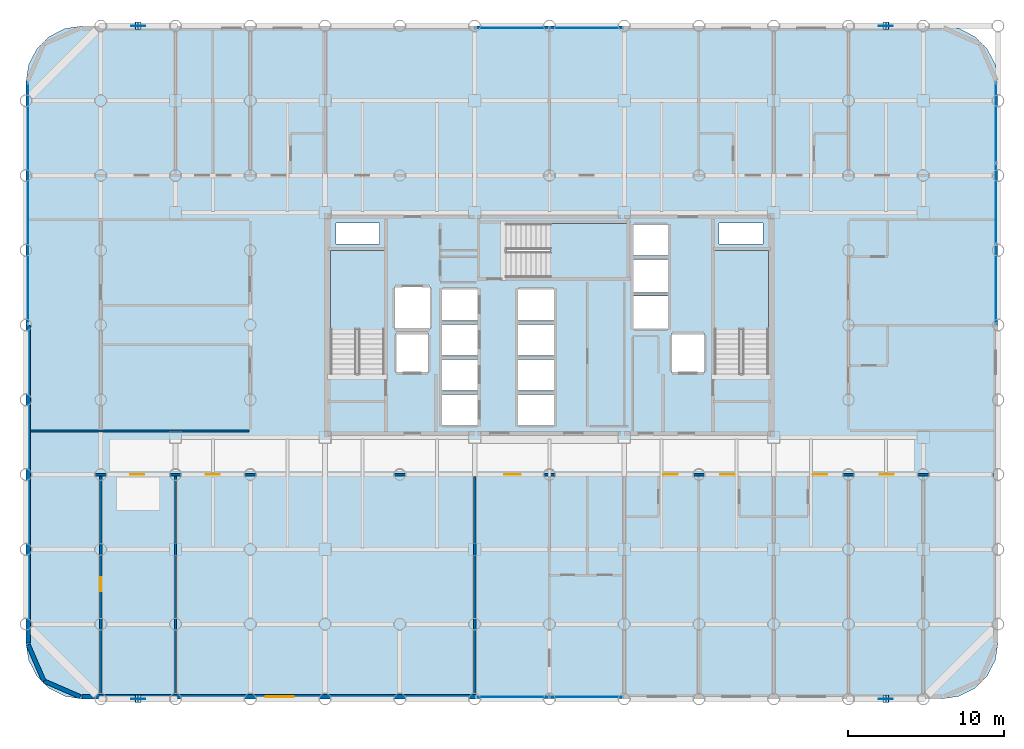
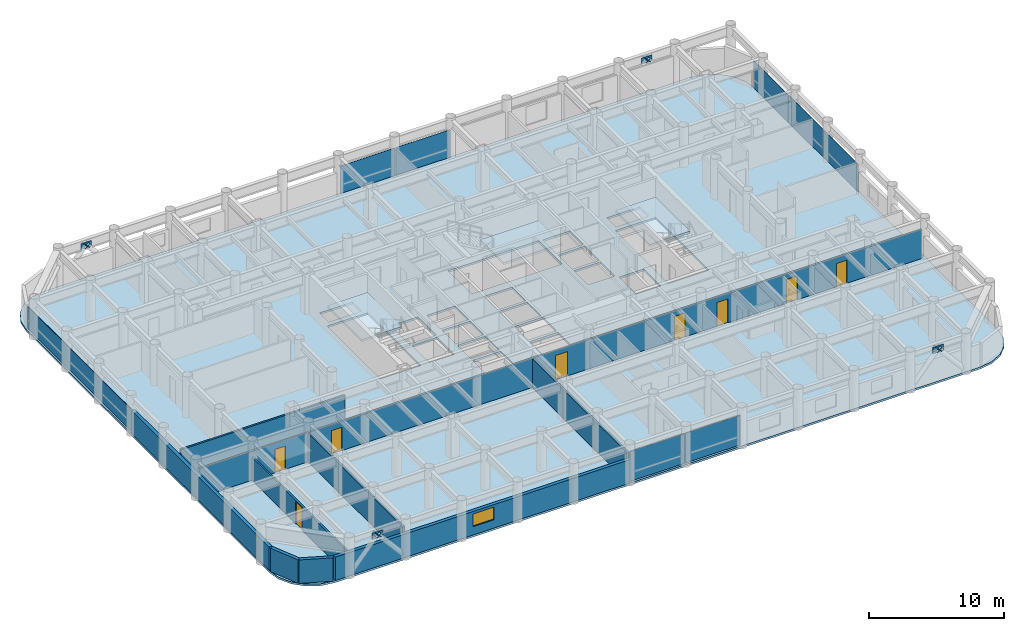
# One storey, part 15 of 22: 20 plates, 9 walls, 8 doors, 4 slabs, 1 window, 9 openings, 7 elements without a shape of their own.
"""IFC4 building model written with IfcOpenShell, lengths in metres."""

import ifcopenshell
import ifcopenshell.guid

model = None  # the IFC model being written
_history = None  # IfcOwnerHistory: only IFC2X3 demands one
_inside = {}  # id of a spatial element -> (the spatial element, [elements in it])
_under = {}  # id of a project, library or spatial element -> (it, [spatial elements below it])
_declared = {}  # id of a project -> (the project, [libraries it declares])
_typed = {}  # id of a type object -> (the type object, [elements of that type])
_made_of = {}  # id of a material, layer set ... -> (it, [elements and type objects made of it])


def new_model(schema):
    """Start an empty IFC model of exactly this schema.

    Asked for "IFC4X3", IfcOpenShell would pick the latest addendum, in which some entities
    have other attributes; the version numbers below select the first issue.
    IFC2X3 requires an IfcOwnerHistory on every rooted entity: one is made here for all.
    """
    global model, _history
    if schema == "IFC4X3":
        model = ifcopenshell.file(schema_version=(4, 3, 0, 0))
    else:
        model = ifcopenshell.file(schema=schema)
    _inside.clear()
    _under.clear()
    _declared.clear()
    _typed.clear()
    _made_of.clear()
    _history = None
    if model.schema == "IFC2X3":
        org = make("IfcOrganization", Name="unknown")
        user = make(
            "IfcPersonAndOrganization",
            ThePerson=make("IfcPerson", FamilyName="unknown"),
            TheOrganization=org,
        )
        app = make(
            "IfcApplication",
            ApplicationDeveloper=org,
            Version="unknown",
            ApplicationFullName="unknown",
            ApplicationIdentifier="unknown",
        )
        _history = make(
            "IfcOwnerHistory",
            OwningUser=user,
            OwningApplication=app,
            ChangeAction="ADDED",
            CreationDate=0,
        )
    return model


def make(cls, **values):
    """One entity of the class cls with the attributes given. An attribute that is None is left unset."""
    return model.create_entity(
        cls, **{name: value for name, value in values.items() if value is not None}
    )


def rooted(cls, **values):
    """An entity with a GlobalId (a new one), such as an element, a storey or a relation."""
    return make(cls, GlobalId=ifcopenshell.guid.new(), OwnerHistory=_history, **values)


def si_unit(unit_type, name, prefix=None):
    """IfcSIUnit, for example si_unit("LENGTHUNIT", "METRE", prefix="MILLI")."""
    return make("IfcSIUnit", UnitType=unit_type, Prefix=prefix, Name=name)


def assignment(units):
    """IfcUnitAssignment: the units of a project."""
    return None if units is None else make("IfcUnitAssignment", Units=units)


def point(xyz):
    """IfcCartesianPoint."""
    return None if xyz is None else make("IfcCartesianPoint", Coordinates=xyz)


def direction(xyz):
    """IfcDirection."""
    return None if xyz is None else make("IfcDirection", DirectionRatios=xyz)


def frame(location, z_axis=None, x_axis=None):
    """IfcAxis2Placement3D, a coordinate frame: its origin and axes. An axis left out is left unset."""
    return make(
        "IfcAxis2Placement3D",
        Location=point(location),
        Axis=direction(z_axis),
        RefDirection=direction(x_axis),
    )


def frame_2d(location, x_axis=None):
    """IfcAxis2Placement2D, a coordinate frame in the plane: its origin and x axis."""
    return make(
        "IfcAxis2Placement2D", Location=point(location), RefDirection=direction(x_axis)
    )


def origin():
    """The frame at (0, 0, 0) with its axes left unset."""
    return frame((0.0, 0.0, 0.0))


def origin_2d():
    """The frame at (0, 0) in the plane with its x axis left unset."""
    return frame_2d((0.0, 0.0))


def place(relative_to, where):
    """IfcLocalPlacement: puts the frame where relative to a parent placement (None: the world)."""
    return make(
        "IfcLocalPlacement", PlacementRelTo=relative_to, RelativePlacement=where
    )


def context(
    kind, dimensions, precision=None, world=None, true_north=None, identifier=None
):
    """IfcGeometricRepresentationContext, for example the 3D "Model" context."""
    return make(
        "IfcGeometricRepresentationContext",
        ContextIdentifier=identifier,
        ContextType=kind,
        CoordinateSpaceDimension=dimensions,
        Precision=precision,
        WorldCoordinateSystem=world,
        TrueNorth=true_north,
    )


def subcontext(parent, identifier, kind, view, scale=None):
    """IfcGeometricRepresentationSubContext, for example "Body" below "Model"."""
    return make(
        "IfcGeometricRepresentationSubContext",
        ContextIdentifier=identifier,
        ContextType=kind,
        ParentContext=parent,
        TargetScale=scale,
        TargetView=view,
    )


def project(units=None, contexts=None):
    """IfcProject with its units and contexts."""
    return rooted(
        "IfcProject",
        Name="project",
        RepresentationContexts=contexts,
        UnitsInContext=assignment(units),
    )


def spatial(cls, under=None, at=None, **own):
    """A site, building, storey or space (cls), placed at a placement, below another one or the project."""
    s = rooted(cls, ObjectPlacement=at, **own)
    if under is not None:
        _under.setdefault(under.id(), (under, []))[1].append(s)
    return s


def polyline(points):
    """IfcPolyline through the points."""
    return make("IfcPolyline", Points=[point(p) for p in points])


def profile(cls, at=None, kind="AREA", **sizes):
    """A parametric profile (cls). Its sizes go by their IFC names, for example OverallWidth=200.0."""
    return make(cls, ProfileType=kind, Position=at, **sizes)


def rectangle(**sizes):
    """IfcRectangleProfileDef."""
    return profile("IfcRectangleProfileDef", **sizes)


def outline(outer, holes=None, kind="AREA"):
    """IfcArbitraryClosedProfileDef: a profile drawn as a closed curve; with holes, ...WithVoids."""
    if holes is None:
        return make("IfcArbitraryClosedProfileDef", ProfileType=kind, OuterCurve=outer)
    return make(
        "IfcArbitraryProfileDefWithVoids",
        ProfileType=kind,
        OuterCurve=outer,
        InnerCurves=holes,
    )


def extrude(swept, where, along, depth):
    """IfcExtrudedAreaSolid: the profile swept, set in the frame where, extruded along a direction by depth."""
    return make(
        "IfcExtrudedAreaSolid",
        SweptArea=swept,
        Position=where,
        ExtrudedDirection=direction(along),
        Depth=depth,
    )


def shape(context_of_items, identifier, shape_type, items):
    """IfcShapeRepresentation: the items that make up one representation, for example the "Body"."""
    return make(
        "IfcShapeRepresentation",
        ContextOfItems=context_of_items,
        RepresentationIdentifier=identifier,
        RepresentationType=shape_type,
        Items=items,
    )


def material(Name=None, Category=None):
    """IfcMaterial."""
    return make("IfcMaterial", Name=Name, Category=Category)


def layer(
    of_material, thickness, ventilated=None, Name=None, Category=None, Priority=None
):
    """IfcMaterialLayer: one layer of a wall or slab, of a material (None: an air gap)."""
    return make(
        "IfcMaterialLayer",
        Material=of_material,
        LayerThickness=thickness,
        IsVentilated=ventilated,
        Name=Name,
        Category=Category,
        Priority=Priority,
    )


def layer_set(layers, Name=None):
    """IfcMaterialLayerSet."""
    return make("IfcMaterialLayerSet", MaterialLayers=layers, LayerSetName=Name)


def made_of(thing, what):
    """Note that an element or type object is made of a material, layer set ...; save() writes the relation."""
    if what is not None:
        _made_of.setdefault(what.id(), (what, []))[1].append(thing)
    return thing


def type_object(cls, material=None, **own):
    """A type object (cls), such as IfcWallType, which elements share."""
    return made_of(rooted(cls, **own), material)


def element(
    cls,
    number,
    at=None,
    inside=None,
    cuts=None,
    type_object=None,
    material=None,
    context=None,
    identifier="Body",
    shape_type=None,
    held_by="IfcProductDefinitionShape",
    body=None,
    shapes=None,
    **own,
):
    """One element of the class cls, such as IfcWall. Its Tag is "e" and its number.

    at: its placement. inside: the storey or other place that contains it. cuts: it is an
    opening in that element (IfcRelVoidsElement). A single representation is given by context,
    identifier, shape_type and body (its items); several are given by shapes. held_by: the class
    of the entity that holds the representations. save() writes the other relations.
    """
    e = rooted(cls, Tag="e%d" % number, ObjectPlacement=at, **own)
    if body is not None:
        shapes = [shape(context, identifier, shape_type, body)]
    if shapes is not None:
        e.Representation = make(held_by, Representations=shapes)
    if inside is not None:
        _inside.setdefault(inside.id(), (inside, []))[1].append(e)
    if cuts is not None:
        rooted(
            "IfcRelVoidsElement", RelatingBuildingElement=cuts, RelatedOpeningElement=e
        )
    if type_object is not None:
        _typed.setdefault(type_object.id(), (type_object, []))[1].append(e)
    return made_of(e, material)


def fill(opening, filler):
    """IfcRelFillsElement: the door or window that sits in an opening."""
    return rooted(
        "IfcRelFillsElement",
        RelatingOpeningElement=opening,
        RelatedBuildingElement=filler,
    )


def aggregate(whole, parts):
    """IfcRelAggregates: a whole, such as a stair, and the parts it consists of."""
    return rooted("IfcRelAggregates", RelatingObject=whole, RelatedObjects=parts)


def save(model, path):
    """Write the relations noted so far, then the file.

    IfcRelAggregates (storeys below a building ...), IfcRelContainedInSpatialStructure (elements
    in a storey), IfcRelDefinesByType, IfcRelAssociatesMaterial and IfcRelDeclares: one each for
    every whole, place, type object, material and project.
    """
    for whole, parts in _under.values():
        aggregate(whole, parts)
    for where, things in _inside.values():
        rooted(
            "IfcRelContainedInSpatialStructure",
            RelatedElements=things,
            RelatingStructure=where,
        )
    for kind, things in _typed.values():
        rooted("IfcRelDefinesByType", RelatedObjects=things, RelatingType=kind)
    for what, things in _made_of.values():
        rooted("IfcRelAssociatesMaterial", RelatedObjects=things, RelatingMaterial=what)
    for by, libraries in _declared.values():
        rooted("IfcRelDeclares", RelatingContext=by, RelatedDefinitions=libraries)
    model.write(path)


model = new_model("IFC4")

# Units and contexts
model_context = context("Model", 3, precision=1e-05, world=origin(), true_north=direction((0.0, 1.0)))
body_context = subcontext(model_context, "Body", "Model", "MODEL_VIEW")
ifc_project = project(units=[si_unit("LENGTHUNIT", "METRE"), si_unit("AREAUNIT", "SQUARE_METRE"), si_unit("VOLUMEUNIT", "CUBIC_METRE"), si_unit("PLANEANGLEUNIT", "RADIAN"), si_unit("MASSUNIT", "GRAM", prefix="KILO")], contexts=[model_context])

# Site, building, storey
site_placement = place(None, origin())
site = spatial("IfcSite", under=ifc_project, at=site_placement, CompositionType="ELEMENT")
building_placement = place(site_placement, origin())
building = spatial("IfcBuilding", under=site, at=building_placement, Name="Kallvorn Hotel Tower", CompositionType="ELEMENT")
storey_placement = place(building_placement, frame((0.0, 0.0, 48.5)))
storey = spatial("IfcBuildingStorey", under=building, at=storey_placement, Name="L10", CompositionType="ELEMENT", Elevation=48.5)

# Curtain wall, plates
ifc_material_1 = material(Name="Thermally broken black-anodised aluminium AA 6063-T6", Category="aluminium")
ifc_layer_1 = layer(ifc_material_1, 0.199951171875)
ifc_layer_set_1 = layer_set([ifc_layer_1], Name="CW_SYS_3_HOTEL_LOW")
curtain_wall_type = type_object("IfcCurtainWallType", Name="CW_SYS_3_HOTEL_LOW", PredefinedType="USERDEFINED", material=ifc_layer_set_1)
curtain_wall_1_placement = place(storey_placement, origin())
curtain_wall_1 = element("IfcCurtainWall", 1, at=curtain_wall_1_placement, inside=storey, type_object=curtain_wall_type, Name="L10 Dark-Glass Curtain Wall CW-L10-SC", ObjectType="UNITISED CURTAIN WALL", PredefinedType="USERDEFINED")
ifc_material_2 = material(Name="Double-glazed low-e solar-control dark glass", Category="glass")
ifc_layer_2 = layer(ifc_material_2, 0.035888671875)
ifc_layer_set_2 = layer_set([ifc_layer_2], Name="CW_SYS_3_HOTEL_LOW_PANEL")
plate_type_1 = type_object("IfcPlateType", Name="CW_SYS_3_HOTEL_LOW_PANEL", PredefinedType="CURTAIN_PANEL", material=ifc_layer_set_2)
plate_1_placement = place(storey_placement, frame((-2.375, -23.8798828125, 0.06005859375), z_axis=(0.0, 0.0, 1.0), x_axis=(1.0, 0.0, 0.0)))
plate_1 = element("IfcPlate", 2, at=plate_1_placement, type_object=plate_type_1, Name="CW-L10-SC Vision Glass Panel 00", PredefinedType="CURTAIN_PANEL", context=body_context, shape_type="SweptSolid", body=[
    extrude(rectangle(XDim=4.68994140625, YDim=0.035888671875, at=origin_2d()), origin(), (0.0, 0.0, 1.0), 2.699951171875),
])
plate_2_placement = place(storey_placement, frame((2.375, -23.8798828125, 0.06005859375), z_axis=(0.0, 0.0, 1.0), x_axis=(1.0, 0.0, 0.0)))
plate_2 = element("IfcPlate", 3, at=plate_2_placement, type_object=plate_type_1, Name="CW-L10-SC Vision Glass Panel 01", PredefinedType="CURTAIN_PANEL", context=body_context, shape_type="SweptSolid", body=[
    extrude(rectangle(XDim=4.68994140625, YDim=0.035888671875, at=origin_2d()), origin(), (0.0, 0.0, 1.0), 2.699951171875),
])
aggregate(curtain_wall_1, [plate_1, plate_2])

curtain_wall_2_placement = place(storey_placement, origin())
curtain_wall_2 = element("IfcCurtainWall", 4, at=curtain_wall_2_placement, inside=storey, type_object=curtain_wall_type, Name="L10 Dark-Glass Curtain Wall CW-L10-NC", ObjectType="UNITISED CURTAIN WALL", PredefinedType="USERDEFINED")
plate_3_placement = place(storey_placement, frame((-2.375, 19.080078125, 0.06005859375), z_axis=(0.0, 0.0, 1.0), x_axis=(1.0, 0.0, 0.0)))
plate_3 = element("IfcPlate", 5, at=plate_3_placement, type_object=plate_type_1, Name="CW-L10-NC Vision Glass Panel 00", PredefinedType="CURTAIN_PANEL", context=body_context, shape_type="SweptSolid", body=[
    extrude(rectangle(XDim=4.68994140625, YDim=0.035888671875, at=origin_2d()), origin(), (0.0, 0.0, 1.0), 2.5),
])
plate_4_placement = place(storey_placement, frame((2.375, 19.080078125, 0.06005859375), z_axis=(0.0, 0.0, 1.0), x_axis=(1.0, 0.0, 0.0)))
plate_4 = element("IfcPlate", 6, at=plate_4_placement, type_object=plate_type_1, Name="CW-L10-NC Vision Glass Panel 01", PredefinedType="CURTAIN_PANEL", context=body_context, shape_type="SweptSolid", body=[
    extrude(rectangle(XDim=4.68994140625, YDim=0.035888671875, at=origin_2d()), origin(), (0.0, 0.0, 1.0), 2.5),
])
aggregate(curtain_wall_2, [plate_3, plate_4])

# Curtain wall, plate
curtain_wall_3_placement = place(storey_placement, origin())
curtain_wall_3 = element("IfcCurtainWall", 7, at=curtain_wall_3_placement, inside=storey, type_object=curtain_wall_type, Name="L10 Dark-Glass Curtain Wall CW-L10-WN", ObjectType="UNITISED CURTAIN WALL", PredefinedType="USERDEFINED")
plate_5_placement = place(storey_placement, frame((-33.47998046875, 7.81005859375, 0.06005859375), z_axis=(0.0, 0.0, 1.0), x_axis=(0.0, 1.0, 0.0)))
plate_5 = element("IfcPlate", 8, at=plate_5_placement, type_object=plate_type_1, Name="CW-L10-WN Vision Glass Panel 00", PredefinedType="CURTAIN_PANEL", context=body_context, shape_type="SweptSolid", body=[
    extrude(rectangle(XDim=15.52001953125, YDim=0.035888671875, at=origin_2d()), origin(), (0.0, 0.0, 1.0), 2.0),
])
aggregate(curtain_wall_3, [plate_5])

# Curtain wall, plates
curtain_wall_4_placement = place(storey_placement, origin())
curtain_wall_4 = element("IfcCurtainWall", 9, at=curtain_wall_4_placement, inside=storey, type_object=curtain_wall_type, Name="L10 Dark-Glass Curtain Wall CW-L10-EN", ObjectType="UNITISED CURTAIN WALL", PredefinedType="USERDEFINED")
plate_6_placement = place(storey_placement, frame((28.679931640625, 2.61669921875, 0.06005859375), z_axis=(0.0, 0.0, 1.0), x_axis=(0.0, 1.0, 0.0)))
plate_6 = element("IfcPlate", 10, at=plate_6_placement, type_object=plate_type_1, Name="CW-L10-EN Vision Glass Panel 00", PredefinedType="CURTAIN_PANEL", context=body_context, shape_type="SweptSolid", body=[
    extrude(rectangle(XDim=5.13330078125, YDim=0.035888671875, at=origin_2d()), origin(), (0.0, 0.0, 1.0), 2.5),
])
plate_7_placement = place(storey_placement, frame((28.679931640625, 7.81005859375, 0.06005859375), z_axis=(0.0, 0.0, 1.0), x_axis=(0.0, 1.0, 0.0)))
plate_7 = element("IfcPlate", 11, at=plate_7_placement, type_object=plate_type_1, Name="CW-L10-EN Vision Glass Panel 01", PredefinedType="CURTAIN_PANEL", context=body_context, shape_type="SweptSolid", body=[
    extrude(rectangle(XDim=5.13330078125, YDim=0.035888671875, at=origin_2d()), origin(), (0.0, 0.0, 1.0), 2.5),
])
plate_8_placement = place(storey_placement, frame((28.679931640625, 13.00341796875, 0.06005859375), z_axis=(0.0, 0.0, 1.0), x_axis=(0.0, 1.0, 0.0)))
plate_8 = element("IfcPlate", 12, at=plate_8_placement, type_object=plate_type_1, Name="CW-L10-EN Vision Glass Panel 02", PredefinedType="CURTAIN_PANEL", context=body_context, shape_type="SweptSolid", body=[
    extrude(rectangle(XDim=5.13330078125, YDim=0.035888671875, at=origin_2d()), origin(), (0.0, 0.0, 1.0), 2.5),
])
aggregate(curtain_wall_4, [plate_6, plate_7, plate_8])

# Plates
ifc_material_3 = material(Name="Structural steel S355JR", Category="steel")
ifc_layer_3 = layer(ifc_material_3, 0.030029296875)
ifc_layer_set_3 = layer_set([ifc_layer_3], Name="PLT_CAP_30")
plate_type_2 = type_object("IfcPlateType", Name="PLT_CAP_30", PredefinedType="SHEET", material=ifc_layer_set_3)
for number, where, z_axis, x_axis, name in (
    (13, (-26.20947265625, -24.2431640625, 2.80859375), (0.653515319717, 0.0, 0.756913288888), (0.0, 1.0, 0.0), "EXO-L10-S1A End Cap Plate B"),
    (14, (-26.590576171875, -23.7568359375, 2.80859375), (-0.653515319717, 0.0, 0.756913288888), (0.0, -1.0, 0.0), "EXO-L10-S1B End Cap Plate B"),
    (15, (21.79052734375, -24.2431640625, 2.80859375), (0.653515319717, 0.0, 0.756913288888), (0.0, 1.0, 0.0), "EXO-L10-S2A End Cap Plate B"),
    (16, (21.409423828125, -23.7568359375, 2.80859375), (-0.653515319717, 0.0, 0.756913288888), (0.0, -1.0, 0.0), "EXO-L10-S2B End Cap Plate B"),
    (17, (-26.20947265625, 18.956787109375, 2.80859375), (0.653515319717, 0.0, 0.756913288888), (0.0, 1.0, 0.0), "EXO-L10-N1A End Cap Plate B"),
    (18, (-26.590576171875, 19.443115234375, 2.80859375), (-0.653515319717, 0.0, 0.756913288888), (0.0, -1.0, 0.0), "EXO-L10-N1B End Cap Plate B"),
    (19, (21.79052734375, 18.956787109375, 2.80859375), (0.653515319717, 0.0, 0.756913288888), (0.0, 1.0, 0.0), "EXO-L10-N2A End Cap Plate B"),
    (20, (21.409423828125, 19.443115234375, 2.80859375), (-0.653515319717, 0.0, 0.756913288888), (0.0, -1.0, 0.0), "EXO-L10-N2B End Cap Plate B"),
):
    element("IfcPlate", number, at=place(storey_placement, frame(where, z_axis=z_axis, x_axis=x_axis)), inside=storey, type_object=plate_type_2, Name=name, PredefinedType="SHEET", context=body_context, shape_type="SweptSolid", body=[
        extrude(outline(polyline([(0.0, 0.0), (0.486328125, 0.0), (0.486328125, 0.4864019008580509), (0.0, 0.4864019008580509), (0.0, 0.0)])), origin(), (0.0, 0.0, -1.0), 0.030029296875),
    ])
ifc_material_4 = material(Name="Structural steel S355JR", Category="steel")
ifc_layer_4 = layer(ifc_material_4, 0.044921875)
ifc_layer_set_4 = layer_set([ifc_layer_4], Name="PLT_GUSSET_45")
plate_type_3 = type_object("IfcPlateType", Name="PLT_GUSSET_45", PredefinedType="USERDEFINED", material=ifc_layer_set_4)
for number, where, z_axis, x_axis, name in (
    (21, (-26.39990234375, -24.0, 2.639892578125), (0.0, 0.0, 1.0), (1.0, 0.0, 0.0), "L10 Exoskeleton Node Gusset S1"),
    (22, (21.60009765625, -24.0, 2.639892578125), (0.0, 0.0, 1.0), (1.0, 0.0, 0.0), "L10 Exoskeleton Node Gusset S2"),
    (23, (-26.39990234375, 19.199951171875, 2.639892578125), (0.0, 0.0, 1.0), (1.0, 0.0, 0.0), "L10 Exoskeleton Node Gusset N1"),
    (24, (21.60009765625, 19.199951171875, 2.639892578125), (0.0, 0.0, 1.0), (1.0, 0.0, 0.0), "L10 Exoskeleton Node Gusset N2"),
):
    element("IfcPlate", number, at=place(storey_placement, frame(where, z_axis=z_axis, x_axis=x_axis)), inside=storey, type_object=plate_type_3, Name=name, ObjectType="GUSSET PLATE", PredefinedType="USERDEFINED", context=body_context, shape_type="SweptSolid", body=[
        extrude(rectangle(XDim=0.89990234375, YDim=0.044921875, at=origin_2d()), origin(), (0.0, 0.0, 1.0), 0.56005859375),
    ])

# Stair, slab
ifc_material_5 = material(Name="Precast concrete C40/50", Category="concrete")
stair_type = type_object("IfcStairType", Name="STR_CORE_DOGLEG", PredefinedType="HALF_TURN_STAIR", material=ifc_material_5)
stair_1_placement = place(storey_placement, origin())
stair_1 = element("IfcStair", 25, at=stair_1_placement, inside=storey, type_object=stair_type, Name="L10 Exit stair ST1", PredefinedType="HALF_TURN_STAIR")
ifc_material_6 = material(Name="Precast concrete C40/50", Category="concrete")
ifc_layer_5 = layer(ifc_material_6, 0.179931640625)
ifc_layer_set_5 = layer_set([ifc_layer_5], Name="SLB_LANDING_180")
slab_type_1 = type_object("IfcSlabType", Name="SLB_LANDING_180", PredefinedType="LANDING", material=ifc_layer_set_5)
slab_1_placement = place(storey_placement, frame((0.0, 0.0, 1.64990234375)))
slab_1 = element("IfcSlab", 26, at=slab_1_placement, type_object=slab_type_1, Name="ST1 landing 1", PredefinedType="LANDING", context=body_context, shape_type="SweptSolid", body=[
    extrude(outline(polyline([(-10.60009765625, -0.31005859375), (-10.60009765625, 4.800048828125), (-14.06005859375, 4.800048828125), (-14.06005859375, -0.31005859375), (-10.60009765625, -0.31005859375)])), origin(), (0.0, 0.0, 1.0), 0.2001953125),
])
aggregate(stair_1, [slab_1])

stair_2_placement = place(storey_placement, origin())
stair_2 = element("IfcStair", 27, at=stair_2_placement, inside=storey, type_object=stair_type, Name="L10 Exit stair ST2", PredefinedType="HALF_TURN_STAIR")
slab_2_placement = place(storey_placement, frame((0.0, 0.0, 1.64990234375)))
slab_2 = element("IfcSlab", 28, at=slab_2_placement, type_object=slab_type_1, Name="ST2 landing 1", PredefinedType="LANDING", context=body_context, shape_type="SweptSolid", body=[
    extrude(outline(polyline([(14.06005859375, -0.31005859375), (14.06005859375, 4.800048828125), (10.60009765625, 4.800048828125), (10.60009765625, -0.31005859375), (14.06005859375, -0.31005859375)])), origin(), (0.0, 0.0, 1.0), 0.2001953125),
])
aggregate(stair_2, [slab_2])

stair_3_placement = place(storey_placement, origin())
stair_3 = element("IfcStair", 29, at=stair_3_placement, inside=storey, type_object=stair_type, Name="L10 Exit stair ST3", PredefinedType="HALF_TURN_STAIR")
slab_3_placement = place(storey_placement, frame((0.0, 0.0, 1.64990234375)))
slab_3 = element("IfcSlab", 30, at=slab_3_placement, type_object=slab_type_1, Name="ST3 landing 1", PredefinedType="LANDING", context=body_context, shape_type="SweptSolid", body=[
    extrude(outline(polyline([(0.0400390625, 3.050048828125), (5.050048828125, 3.050048828125), (5.050048828125, 6.510009765625), (0.0400390625, 6.510009765625), (0.0400390625, 3.050048828125)])), origin(), (0.0, 0.0, 1.0), 0.2001953125),
])
aggregate(stair_3, [slab_3])

# Slab
ifc_material_7 = material(Name="Concrete C40/50", Category="concrete")
ifc_layer_6 = layer(ifc_material_7, 0.179931640625)
ifc_layer_set_6 = layer_set([ifc_layer_6], Name="SLB_TOWER_180")
slab_type_2 = type_object("IfcSlabType", Name="SLB_TOWER_180", PredefinedType="FLOOR", material=ifc_layer_set_6)
slab_4_placement = place(storey_placement, frame((0.0, 0.0, -0.179931640625)))
element("IfcSlab", 31, at=slab_4_placement, inside=storey, type_object=slab_type_2, Name="L10 Structural Floor Slab", PredefinedType="FLOOR", context=body_context, shape_type="SweptSolid", body=[
    extrude(outline(polyline([(25.199951171875, -24.0), (26.3125, -23.82373046875), (27.31591796875, -23.3125), (28.112548828125, -22.51611328125), (28.623779296875, -21.512451171875), (28.800048828125, -20.39990234375), (28.800048828125, 15.60009765625), (28.623779296875, 16.71240234375), (28.112548828125, 17.716064453125), (27.31591796875, 18.512451171875), (26.3125, 19.023681640625), (25.199951171875, 19.199951171875), (-30.0, 19.199951171875), (-31.112548828125, 19.023681640625), (-32.115966796875, 18.512451171875), (-32.91259765625, 17.716064453125), (-33.423828125, 16.71240234375), (-33.60009765625, 15.60009765625), (-33.60009765625, -20.39990234375), (-33.423828125, -21.512451171875), (-32.91259765625, -22.51611328125), (-32.115966796875, -23.3125), (-31.112548828125, -23.82373046875), (-30.0, -24.0), (25.199951171875, -24.0)]), holes=[polyline([(-10.60009765625, -3.070068359375), (-10.60009765625, 4.800048828125), (-14.06005859375, 4.800048828125), (-14.06005859375, -3.070068359375), (-10.60009765625, -3.070068359375)]), polyline([(14.06005859375, -3.070068359375), (14.06005859375, 4.800048828125), (10.60009765625, 4.800048828125), (10.60009765625, -3.070068359375), (14.06005859375, -3.070068359375)]), polyline([(-2.719970703125, 3.050048828125), (5.050048828125, 3.050048828125), (5.050048828125, 6.510009765625), (-2.719970703125, 6.510009765625), (-2.719970703125, 3.050048828125)]), polyline([(-6.949951171875, -6.449951171875), (-4.550048828125, -6.449951171875), (-4.550048828125, -4.449951171875), (-6.949951171875, -4.449951171875), (-6.949951171875, -6.449951171875)]), polyline([(-6.949951171875, -4.199951171875), (-4.550048828125, -4.199951171875), (-4.550048828125, -2.199951171875), (-6.949951171875, -2.199951171875), (-6.949951171875, -4.199951171875)]), polyline([(-6.949951171875, -1.949951171875), (-4.550048828125, -1.949951171875), (-4.550048828125, 0.050048828125), (-6.949951171875, 0.050048828125), (-6.949951171875, -1.949951171875)]), polyline([(-6.949951171875, 0.300048828125), (-4.550048828125, 0.300048828125), (-4.550048828125, 2.300048828125), (-6.949951171875, 2.300048828125), (-6.949951171875, 0.300048828125)]), polyline([(-2.050048828125, -6.449951171875), (0.35009765625, -6.449951171875), (0.35009765625, -4.449951171875), (-2.050048828125, -4.449951171875), (-2.050048828125, -6.449951171875)]), polyline([(-2.050048828125, -4.199951171875), (0.35009765625, -4.199951171875), (0.35009765625, -2.199951171875), (-2.050048828125, -2.199951171875), (-2.050048828125, -4.199951171875)]), polyline([(-2.050048828125, -1.949951171875), (0.35009765625, -1.949951171875), (0.35009765625, 0.050048828125), (-2.050048828125, 0.050048828125), (-2.050048828125, -1.949951171875)]), polyline([(-2.050048828125, 0.300048828125), (0.35009765625, 0.300048828125), (0.35009765625, 2.300048828125), (-2.050048828125, 2.300048828125), (-2.050048828125, 0.300048828125)]), polyline([(5.35009765625, -0.25), (7.64990234375, -0.25), (7.64990234375, 1.85009765625), (5.35009765625, 1.85009765625), (5.35009765625, -0.25)]), polyline([(5.35009765625, 2.10009765625), (7.64990234375, 2.10009765625), (7.64990234375, 4.199951171875), (5.35009765625, 4.199951171875), (5.35009765625, 2.10009765625)]), polyline([(5.35009765625, 4.449951171875), (7.64990234375, 4.449951171875), (7.64990234375, 6.449951171875), (5.35009765625, 6.449951171875), (5.35009765625, 4.449951171875)]), polyline([(-9.85009765625, -3.050048828125), (-7.75, -3.050048828125), (-7.75, -0.550048828125), (-9.85009765625, -0.550048828125), (-9.85009765625, -3.050048828125)]), polyline([(7.85009765625, -3.050048828125), (9.949951171875, -3.050048828125), (9.949951171875, -0.550048828125), (7.85009765625, -0.550048828125), (7.85009765625, -3.050048828125)]), polyline([(-9.949951171875, -0.25), (-7.64990234375, -0.25), (-7.64990234375, 2.449951171875), (-9.949951171875, 2.449951171875), (-9.949951171875, -0.25)]), polyline([(-13.699951171875, 5.199951171875), (-10.89990234375, 5.199951171875), (-10.89990234375, 6.550048828125), (-13.699951171875, 6.550048828125), (-13.699951171875, 5.199951171875)]), polyline([(10.89990234375, 5.199951171875), (13.699951171875, 5.199951171875), (13.699951171875, 6.550048828125), (10.89990234375, 6.550048828125), (10.89990234375, 5.199951171875)])]), origin(), (0.0, 0.0, 1.0), 0.179931640625),
])

# Wall, openings, doors
ifc_material_8 = material(Name="Fire-rated double-layer acoustic gypsum drywall EI 60")
ifc_layer_7 = layer(ifc_material_8, 0.159912109375)
ifc_layer_set_7 = layer_set([ifc_layer_7], Name="WL_DEMISE_160")
wall_type_1 = type_object("IfcWallType", Name="WL_DEMISE_160", PredefinedType="PARTITIONING", material=ifc_layer_set_7)
wall_1_placement = place(storey_placement, frame((-33.31005859375, -9.60009765625, 0.0), z_axis=(0.0, 0.0, 1.0), x_axis=(1.0, 0.0, 0.0)))
wall_1 = element("IfcWall", 32, at=wall_1_placement, inside=storey, type_object=wall_type_1, Name="L10 Suite 1003 Executive Living Salon Partition", PredefinedType="PARTITIONING", context=body_context, shape_type="SweptSolid", body=[
    extrude(rectangle(XDim=61.820068359375, YDim=0.159912109375, at=frame_2d((30.91015625, 0.0))), origin(), (0.0, 0.0, 1.0), 2.6201171875),
])
opening_1_placement = place(wall_1_placement, frame((6.419921875, 0.0, 0.0)))
opening_1 = element("IfcOpeningElement", 33, at=opening_1_placement, cuts=wall_1, Name="Opening SVD1", PredefinedType="OPENING", context=body_context, shape_type="SweptSolid", body=[
    extrude(rectangle(XDim=0.89990234375, YDim=2.10009765625, at=frame_2d((0.449951171875, 1.050048828125))), frame((0.0, 0.094970703125, 0.0), z_axis=(0.0, -1.0, 0.0), x_axis=(1.0, 0.0, 0.0)), (0.0, 0.0, 1.0), 0.18994140625),
])
opening_2_placement = place(wall_1_placement, frame((54.5, 0.0, 0.0)))
opening_2 = element("IfcOpeningElement", 34, at=opening_2_placement, cuts=wall_1, Name="Opening SVD1", PredefinedType="OPENING", context=body_context, shape_type="SweptSolid", body=[
    extrude(rectangle(XDim=0.89990234375, YDim=2.10009765625, at=frame_2d((0.449951171875, 1.050048828125))), frame((0.0, 0.094970703125, 0.0), z_axis=(0.0, -1.0, 0.0), x_axis=(1.0, 0.0, 0.0)), (0.0, 0.0, 1.0), 0.18994140625),
])
opening_3_placement = place(wall_1_placement, frame((11.260009765625, 0.0, 0.0)))
opening_3 = element("IfcOpeningElement", 35, at=opening_3_placement, cuts=wall_1, Name="Opening SVD1", PredefinedType="OPENING", context=body_context, shape_type="SweptSolid", body=[
    extrude(rectangle(XDim=0.89990234375, YDim=2.10009765625, at=frame_2d((0.449951171875, 1.050048828125))), frame((0.0, 0.094970703125, 0.0), z_axis=(0.0, -1.0, 0.0), x_axis=(1.0, 0.0, 0.0)), (0.0, 0.0, 1.0), 0.18994140625),
])
opening_4_placement = place(wall_1_placement, frame((30.425048828125, 0.0, 0.0)))
opening_4 = element("IfcOpeningElement", 36, at=opening_4_placement, cuts=wall_1, Name="Opening GD2", PredefinedType="OPENING", context=body_context, shape_type="SweptSolid", body=[
    extrude(rectangle(XDim=1.050048828125, YDim=2.199951171875, at=frame_2d((0.52490234375, 1.10009765625))), frame((0.0, 0.094970703125, 0.0), z_axis=(0.0, -1.0, 0.0), x_axis=(1.0, 0.0, 0.0)), (0.0, 0.0, 1.0), 0.18994140625),
])
opening_5_placement = place(wall_1_placement, frame((40.6201171875, 0.0, 0.0)))
opening_5 = element("IfcOpeningElement", 37, at=opening_5_placement, cuts=wall_1, Name="Opening GD1", PredefinedType="OPENING", context=body_context, shape_type="SweptSolid", body=[
    extrude(rectangle(XDim=0.919921875, YDim=2.14990234375, at=frame_2d((0.4599609375, 1.074951171875))), frame((0.0, 0.094970703125, 0.0), z_axis=(0.0, -1.0, 0.0), x_axis=(1.0, 0.0, 0.0)), (0.0, 0.0, 1.0), 0.18994140625),
])
opening_6_placement = place(wall_1_placement, frame((44.280029296875, 0.0, 0.0)))
opening_6 = element("IfcOpeningElement", 38, at=opening_6_placement, cuts=wall_1, Name="Opening GD1", PredefinedType="OPENING", context=body_context, shape_type="SweptSolid", body=[
    extrude(rectangle(XDim=0.919921875, YDim=2.14990234375, at=frame_2d((0.4599609375, 1.074951171875))), frame((0.0, 0.094970703125, 0.0), z_axis=(0.0, -1.0, 0.0), x_axis=(1.0, 0.0, 0.0)), (0.0, 0.0, 1.0), 0.18994140625),
])
opening_7_placement = place(wall_1_placement, frame((50.219970703125, 0.0, 0.0)))
opening_7 = element("IfcOpeningElement", 39, at=opening_7_placement, cuts=wall_1, Name="Opening GD1", PredefinedType="OPENING", context=body_context, shape_type="SweptSolid", body=[
    extrude(rectangle(XDim=0.919921875, YDim=2.14990234375, at=frame_2d((0.4599609375, 1.074951171875))), frame((0.0, 0.094970703125, 0.0), z_axis=(0.0, -1.0, 0.0), x_axis=(1.0, 0.0, 0.0)), (0.0, 0.0, 1.0), 0.18994140625),
])
ifc_material_9 = material(Name="Solid-core walnut veneer fire-rated timber door leaf", Category="wood")
door_type_1 = type_object("IfcDoorType", Name="DR_GUEST_920x2150", OperationType="NOTDEFINED", PredefinedType="DOOR", material=ifc_material_9)
door_1_placement = place(opening_5_placement, origin())
door_1 = element("IfcDoor", 40, at=door_1_placement, inside=storey, type_object=door_type_1, Name="L10 Suite 1004 Superior Twin Room Door", OperationType="SINGLE_SWING_LEFT", OverallHeight=2.14990234375, OverallWidth=0.919921875, PredefinedType="DOOR", context=body_context, shape_type="SweptSolid", body=[
    extrude(rectangle(XDim=0.919921875, YDim=2.14990234375, at=frame_2d((0.4599609375, 1.074951171875))), frame((0.0, 0.02490234375, 0.0), z_axis=(0.0, -1.0, 0.0), x_axis=(1.0, 0.0, 0.0)), (0.0, 0.0, 1.0), 0.050048828125),
])
fill(opening_5, door_1)
door_2_placement = place(opening_6_placement, origin())
door_2 = element("IfcDoor", 41, at=door_2_placement, inside=storey, type_object=door_type_1, Name="L10 Suite 1005 Superior Twin Room Door", OperationType="SINGLE_SWING_RIGHT", OverallHeight=2.14990234375, OverallWidth=0.919921875, PredefinedType="DOOR", context=body_context, shape_type="SweptSolid", body=[
    extrude(rectangle(XDim=0.919921875, YDim=2.14990234375, at=frame_2d((0.4599609375, 1.074951171875))), frame((0.0, 0.02490234375, 0.0), z_axis=(0.0, -1.0, 0.0), x_axis=(1.0, 0.0, 0.0)), (0.0, 0.0, 1.0), 0.050048828125),
])
fill(opening_6, door_2)
door_3_placement = place(opening_7_placement, origin())
door_3 = element("IfcDoor", 42, at=door_3_placement, inside=storey, type_object=door_type_1, Name="L10 Suite 1006 Superior Twin Room Door", OperationType="SINGLE_SWING_RIGHT", OverallHeight=2.14990234375, OverallWidth=0.919921875, PredefinedType="DOOR", context=body_context, shape_type="SweptSolid", body=[
    extrude(rectangle(XDim=0.919921875, YDim=2.14990234375, at=frame_2d((0.4599609375, 1.074951171875))), frame((0.0, 0.02490234375, 0.0), z_axis=(0.0, -1.0, 0.0), x_axis=(1.0, 0.0, 0.0)), (0.0, 0.0, 1.0), 0.050048828125),
])
fill(opening_7, door_3)
ifc_material_10 = material(Name="Galvanised painted steel fire-rated door assembly", Category="steel")
door_type_2 = type_object("IfcDoorType", Name="DR_SERV_900x2100", OperationType="NOTDEFINED", PredefinedType="DOOR", material=ifc_material_10)
door_4_placement = place(opening_1_placement, origin())
door_4 = element("IfcDoor", 43, at=door_4_placement, inside=storey, type_object=door_type_2, Name="L10 L10 South-West Botanical Bar B Door", OperationType="SINGLE_SWING_RIGHT", OverallHeight=2.10009765625, OverallWidth=0.89990234375, PredefinedType="DOOR", context=body_context, shape_type="SweptSolid", body=[
    extrude(rectangle(XDim=0.89990234375, YDim=2.10009765625, at=frame_2d((0.449951171875, 1.050048828125))), frame((0.0, 0.02490234375, 0.0), z_axis=(0.0, -1.0, 0.0), x_axis=(1.0, 0.0, 0.0)), (0.0, 0.0, 1.0), 0.050048828125),
])
fill(opening_1, door_4)
door_5_placement = place(opening_2_placement, origin())
door_5 = element("IfcDoor", 44, at=door_5_placement, inside=storey, type_object=door_type_2, Name="L10 L10 South-East Sommelier Bar A Door", OperationType="SINGLE_SWING_RIGHT", OverallHeight=2.10009765625, OverallWidth=0.89990234375, PredefinedType="DOOR", context=body_context, shape_type="SweptSolid", body=[
    extrude(rectangle(XDim=0.89990234375, YDim=2.10009765625, at=frame_2d((0.449951171875, 1.050048828125))), frame((0.0, 0.02490234375, 0.0), z_axis=(0.0, -1.0, 0.0), x_axis=(1.0, 0.0, 0.0)), (0.0, 0.0, 1.0), 0.050048828125),
])
fill(opening_2, door_5)
door_6_placement = place(opening_3_placement, origin())
door_6 = element("IfcDoor", 45, at=door_6_placement, inside=storey, type_object=door_type_2, Name="L10 L10 Executive Co-Working Open-Plan Office 1 Door", OperationType="SINGLE_SWING_LEFT", OverallHeight=2.10009765625, OverallWidth=0.89990234375, PredefinedType="DOOR", context=body_context, shape_type="SweptSolid", body=[
    extrude(rectangle(XDim=0.89990234375, YDim=2.10009765625, at=frame_2d((0.449951171875, 1.050048828125))), frame((0.0, 0.02490234375, 0.0), z_axis=(0.0, -1.0, 0.0), x_axis=(1.0, 0.0, 0.0)), (0.0, 0.0, 1.0), 0.050048828125),
])
fill(opening_3, door_6)
ifc_material_11 = material(Name="Solid-core walnut veneer fire-rated timber door leaf", Category="wood")
door_type_3 = type_object("IfcDoorType", Name="DR_SUITE_1050x2200", OperationType="NOTDEFINED", PredefinedType="DOOR", material=ifc_material_11)
door_7_placement = place(opening_4_placement, origin())
door_7 = element("IfcDoor", 46, at=door_7_placement, inside=storey, type_object=door_type_3, Name="L10 Suite 1003 Executive Living Salon Door", OperationType="SINGLE_SWING_RIGHT", OverallHeight=2.199951171875, OverallWidth=1.050048828125, PredefinedType="DOOR", context=body_context, shape_type="SweptSolid", body=[
    extrude(rectangle(XDim=1.050048828125, YDim=2.199951171875, at=frame_2d((0.52490234375, 1.10009765625))), frame((0.0, 0.02490234375, 0.0), z_axis=(0.0, -1.0, 0.0), x_axis=(1.0, 0.0, 0.0)), (0.0, 0.0, 1.0), 0.050048828125),
])
fill(opening_4, door_7)

# Walls
wall_2_placement = place(storey_placement, frame((-4.800048828125, -23.7099609375, 0.0), z_axis=(0.0, 0.0, 1.0), x_axis=(0.0, 1.0, 0.0)))
element("IfcWall", 47, at=wall_2_placement, inside=storey, type_object=wall_type_1, Name="L10 Suite 1003 Executive Living Salon Partition", PredefinedType="PARTITIONING", context=body_context, shape_type="SweptSolid", body=[
    extrude(rectangle(XDim=13.989990234375, YDim=0.159912109375, at=frame_2d((6.9951171875, 0.0))), origin(), (0.0, 0.0, 1.0), 2.6201171875),
])
ifc_material_12 = material(Name="Precast basalt-clad insulated concrete wall C40/50", Category="masonry")
ifc_layer_8 = layer(ifc_material_12, 0.280029296875)
ifc_layer_set_8 = layer_set([ifc_layer_8], Name="WL_EXT_LOGGIA_280")
wall_type_2 = type_object("IfcWallType", Name="WL_EXT_LOGGIA_280", PredefinedType="SOLIDWALL", material=ifc_layer_set_8)
wall_3_placement = place(storey_placement, frame((-33.4580078125, -20.520751953125, 0.0), z_axis=(0.0, 0.0, 1.0), x_axis=(0.398792985289, -0.917040977756, 0.0)))
element("IfcWall", 48, at=wall_3_placement, inside=storey, type_object=wall_type_2, Name="L10 Rounded Corner Exterior Wall SW1", PredefinedType="SOLIDWALL", context=body_context, shape_type="SweptSolid", body=[
    extrude(rectangle(XDim=2.536376953125, YDim=0.280029296875, at=frame_2d((1.26806640625, 0.0))), origin(), (0.0, 0.0, 1.0), 2.1201171875),
])
wall_4_placement = place(storey_placement, frame((-32.446533203125, -22.8466796875, 0.0), z_axis=(0.0, 0.0, 1.0), x_axis=(0.917060872934, -0.398747232384, 0.0)))
element("IfcWall", 49, at=wall_4_placement, inside=storey, type_object=wall_type_2, Name="L10 Rounded Corner Exterior Wall SW2", PredefinedType="SOLIDWALL", context=body_context, shape_type="SweptSolid", body=[
    extrude(rectangle(XDim=2.5361328125, YDim=0.280029296875, at=frame_2d((1.26806640625, 0.0))), origin(), (0.0, 0.0, 1.0), 2.1201171875),
])

# Wall, opening, window
wall_5_placement = place(storey_placement, frame((-30.0, -23.860107421875, 0.0), z_axis=(0.0, 0.0, 1.0), x_axis=(1.0, 0.0, 0.0)))
wall_5 = element("IfcWall", 50, at=wall_5_placement, inside=storey, type_object=wall_type_2, Name="L10 Exterior Envelope Wall EW-L10-SW", PredefinedType="SOLIDWALL", context=body_context, shape_type="SweptSolid", body=[
    extrude(rectangle(XDim=25.25, YDim=0.280029296875, at=frame_2d((12.625, 0.0))), origin(), (0.0, 0.0, 1.0), 2.1201171875),
])
opening_8_placement = place(wall_5_placement, frame((11.798095703125, 0.0, 0.75)))
opening_8 = element("IfcOpeningElement", 51, at=opening_8_placement, cuts=wall_5, Name="Opening W04A", PredefinedType="OPENING", context=body_context, shape_type="SweptSolid", body=[
    extrude(rectangle(XDim=1.800048828125, YDim=1.14990234375, at=frame_2d((0.89990234375, 0.574951171875))), frame((0.0, 0.155029296875, 0.0), z_axis=(0.0, -1.0, 0.0), x_axis=(1.0, 0.0, 0.0)), (0.0, 0.0, 1.0), 0.31005859375),
])
ifc_material_13 = material(Name="Double-glazed low-e solar-control dark glass", Category="glass")
window_type = type_object("IfcWindowType", Name="WN_HTL_1800x1150", PartitioningType="SINGLE_PANEL", PredefinedType="WINDOW", material=ifc_material_13)
window_placement = place(opening_8_placement, origin())
window = element("IfcWindow", 52, at=window_placement, inside=storey, type_object=window_type, Name="L10 Guestroom Exterior Window 02", OverallHeight=1.14990234375, OverallWidth=1.800048828125, PartitioningType="SINGLE_PANEL", PredefinedType="WINDOW", context=body_context, shape_type="SweptSolid", body=[
    extrude(rectangle(XDim=1.800048828125, YDim=1.14990234375, at=frame_2d((0.89990234375, 0.574951171875))), frame((0.0, 0.030029296875, 0.0), z_axis=(0.0, -1.0, 0.0), x_axis=(1.0, 0.0, 0.0)), (0.0, 0.0, 1.0), 0.06005859375),
])
fill(opening_8, window)

# Walls
wall_6_placement = place(storey_placement, frame((-33.4599609375, -20.39990234375, 0.0), z_axis=(0.0, 0.0, 1.0), x_axis=(0.0, 1.0, 0.0)))
element("IfcWall", 53, at=wall_6_placement, inside=storey, type_object=wall_type_2, Name="L10 Exterior Envelope Wall EW-L10-WS", PredefinedType="SOLIDWALL", context=body_context, shape_type="SweptSolid", body=[
    extrude(rectangle(XDim=20.3798828125, YDim=0.280029296875, at=frame_2d((10.18994140625, 0.0))), origin(), (0.0, 0.0, 1.0), 2.1201171875),
])
ifc_material_14 = material(Name="Fire-rated double-layer acoustic gypsum drywall EI 60")
ifc_layer_9 = layer(ifc_material_14, 0.14990234375)
ifc_layer_set_9 = layer_set([ifc_layer_9], Name="WL_PART_150")
wall_type_3 = type_object("IfcWallType", Name="WL_PART_150", PredefinedType="PARTITIONING", material=ifc_layer_set_9)
wall_7_placement = place(storey_placement, frame((-33.31005859375, -6.800048828125, 0.0), z_axis=(0.0, 0.0, 1.0), x_axis=(1.0, 0.0, 0.0)))
element("IfcWall", 54, at=wall_7_placement, inside=storey, type_object=wall_type_3, Name="L10 L10 W Cordillera Panorama Dining Salon Partition", PredefinedType="PARTITIONING", context=body_context, shape_type="SweptSolid", body=[
    extrude(rectangle(XDim=14.030029296875, YDim=0.14990234375, at=frame_2d((7.01513671875, 0.0))), origin(), (0.0, 0.0, 1.0), 2.6201171875),
])

# Wall, opening, door
wall_8_placement = place(storey_placement, frame((-28.800048828125, -23.7099609375, 0.0), z_axis=(0.0, 0.0, 1.0), x_axis=(0.0, 1.0, 0.0)))
wall_8 = element("IfcWall", 55, at=wall_8_placement, inside=storey, type_object=wall_type_3, Name="L10 L10 South-West Botanical Bar A Partition", PredefinedType="PARTITIONING", context=body_context, shape_type="SweptSolid", body=[
    extrude(rectangle(XDim=13.989990234375, YDim=0.14990234375, at=frame_2d((6.9951171875, 0.0))), origin(), (0.0, 0.0, 1.0), 2.1201171875),
])
opening_9_placement = place(wall_8_placement, frame((6.625, 0.0, 0.0)))
opening_9 = element("IfcOpeningElement", 56, at=opening_9_placement, cuts=wall_8, Name="Opening SVD1A", PredefinedType="OPENING", context=body_context, shape_type="SweptSolid", body=[
    extrude(rectangle(XDim=0.89990234375, YDim=2.02001953125, at=frame_2d((0.449951171875, 1.010009765625))), frame((0.0, 0.08984375, 0.0), z_axis=(0.0, -1.0, 0.0), x_axis=(1.0, 0.0, 0.0)), (0.0, 0.0, 1.0), 0.179931640625),
])
ifc_material_15 = material(Name="Galvanised painted steel fire-rated door assembly", Category="steel")
door_type_4 = type_object("IfcDoorType", Name="DR_SERV_900x2020", OperationType="NOTDEFINED", PredefinedType="DOOR", material=ifc_material_15)
door_8_placement = place(opening_9_placement, origin())
door_8 = element("IfcDoor", 57, at=door_8_placement, inside=storey, type_object=door_type_4, Name="L10 L10 South-West Botanical Bar A Door", OperationType="SINGLE_SWING_RIGHT", OverallHeight=2.02001953125, OverallWidth=0.89990234375, PredefinedType="DOOR", context=body_context, shape_type="SweptSolid", body=[
    extrude(rectangle(XDim=0.89990234375, YDim=2.02001953125, at=frame_2d((0.449951171875, 1.010009765625))), frame((0.0, 0.02490234375, 0.0), z_axis=(0.0, -1.0, 0.0), x_axis=(1.0, 0.0, 0.0)), (0.0, 0.0, 1.0), 0.050048828125),
])
fill(opening_9, door_8)

# Wall
wall_9_placement = place(storey_placement, frame((-24.0, -23.7099609375, 0.0), z_axis=(0.0, 0.0, 1.0), x_axis=(0.0, 1.0, 0.0)))
element("IfcWall", 58, at=wall_9_placement, inside=storey, type_object=wall_type_3, Name="L10 L10 Executive Co-Working Open-Plan Office 1 Partition", PredefinedType="PARTITIONING", context=body_context, shape_type="SweptSolid", body=[
    extrude(rectangle(XDim=13.989990234375, YDim=0.14990234375, at=frame_2d((6.9951171875, 0.0))), origin(), (0.0, 0.0, 1.0), 2.6201171875),
])

save(model, "model.ifc")
